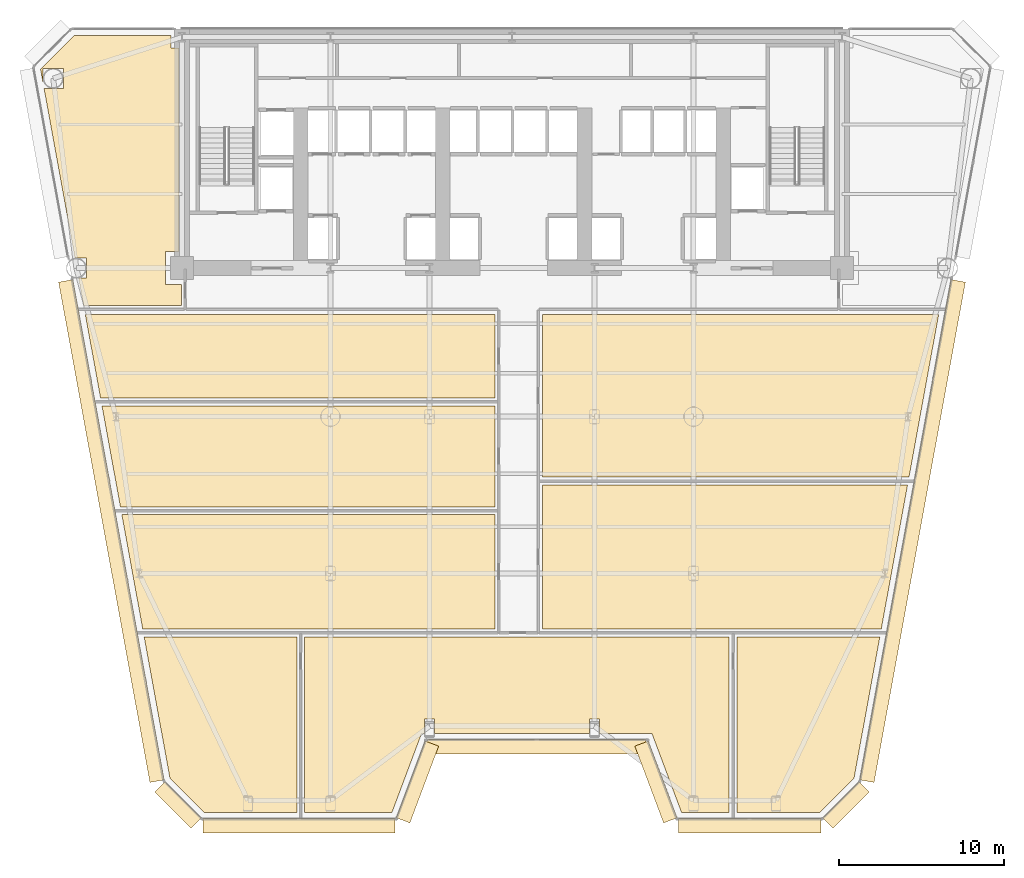
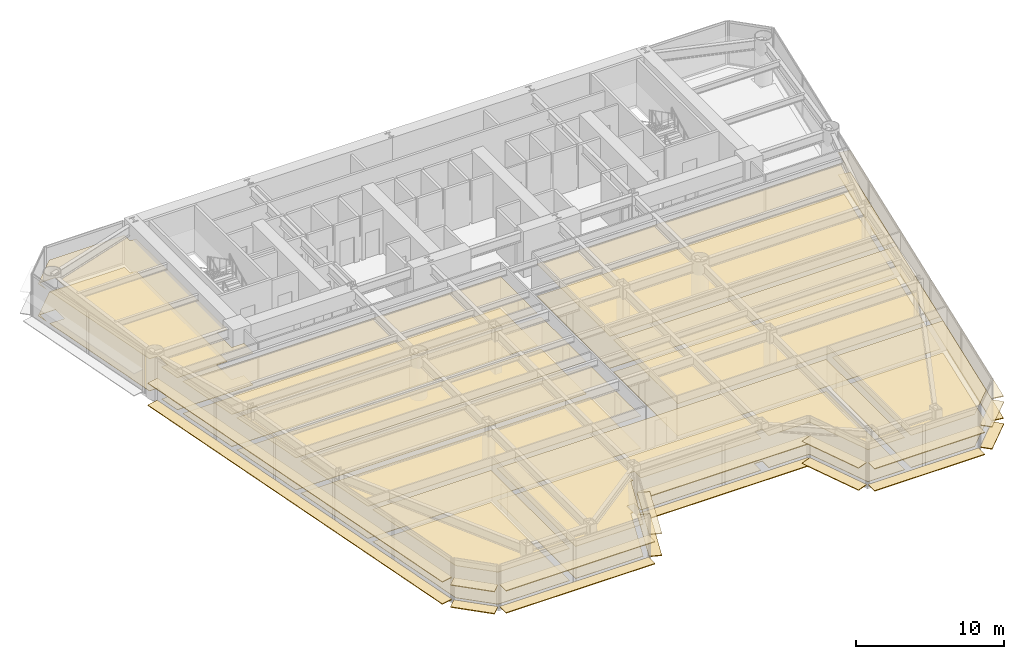
# One storey, part 11 of 14: 36 coverings.
"""IFC4 building model written with IfcOpenShell, lengths in metres."""

from ifc_helpers import new_model, si_unit, direction, frame, origin, origin_2d, place, context, subcontext, project, spatial, polyline, rectangle, outline, extrude, source, transform, mapped, material, layer, layer_set, type_object, element, save


model = new_model("IFC4")

# Units and contexts
model_context = context("Model", 3, precision=1e-05, world=origin(), true_north=direction((0.0, 1.0)))
body_context = subcontext(model_context, "Body", "Model", "MODEL_VIEW")
ifc_project = project(units=[si_unit("LENGTHUNIT", "METRE"), si_unit("AREAUNIT", "SQUARE_METRE"), si_unit("VOLUMEUNIT", "CUBIC_METRE"), si_unit("PLANEANGLEUNIT", "RADIAN"), si_unit("MASSUNIT", "GRAM", prefix="KILO")], contexts=[model_context])

# Site, building, storey
site_placement = place(None, origin())
site = spatial("IfcSite", under=ifc_project, at=site_placement, CompositionType="ELEMENT")
building_placement = place(site_placement, origin())
building = spatial("IfcBuilding", under=site, at=building_placement, Name="Vaeldorn Concourse Tower", CompositionType="ELEMENT")
storey_placement = place(building_placement, frame((0.0, 0.0, 68.199951171875)))
storey = spatial("IfcBuildingStorey", under=building, at=storey_placement, Name="L17", CompositionType="ELEMENT", Elevation=68.199951171875)

# Coverings
ifc_material_1 = material(Name="Acoustic Mineral Fibre Board", Category="gypsum")
ifc_layer_1 = layer(ifc_material_1, 0.0400390625)
ifc_layer_set_1 = layer_set([ifc_layer_1], Name="Acoustic Mineral Fibre Board")
covering_type_1 = type_object("IfcCoveringType", Name="COV-CEIL-ACOUSTIC", PredefinedType="CEILING", material=ifc_layer_set_1)
covering_1_placement = place(storey_placement, frame((0.0, 0.0, 2.650146484375)))
element("IfcCovering", 1, at=covering_1_placement, inside=storey, type_object=covering_type_1, Name="Suspended Acoustic Ceiling L17-3", PredefinedType="CEILING", context=body_context, shape_type="SweptSolid", body=[
    extrude(outline(polyline([(7.4658203125, 50.60009765625), (13.340087890625, 50.60009765625), (13.340087890625, 49.840087890625), (13.820068359375, 49.840087890625), (13.820068359375, 37.5), (13.0, 37.5), (13.0, 35.5), (13.9599609375, 35.5), (13.9599609375, 34.239990234375), (8.0458984375, 34.239990234375), (7.744873046875, 35.890380859375), (8.20947265625, 35.890380859375), (8.20947265625, 37.109619140625), (7.522216796875, 37.109619140625), (5.6455078125, 47.390380859375), (6.8095703125, 47.390380859375), (6.8095703125, 48.609619140625), (5.590576171875, 48.609619140625), (5.590576171875, 47.6923828125), (5.43115234375, 48.5654296875), (7.4658203125, 50.60009765625)])), origin(), (0.0, 0.0, 1.0), 0.039794921875),
])
covering_2_placement = place(storey_placement, frame((0.0, 0.0, 2.650146484375)))
element("IfcCovering", 2, at=covering_2_placement, inside=storey, type_object=covering_type_1, Name="Suspended Acoustic Ceiling L17-5", PredefinedType="CEILING", context=body_context, shape_type="SweptSolid", body=[
    extrude(outline(polyline([(32.9599609375, 21.56005859375), (32.9599609375, 14.639892578125), (11.623779296875, 14.639892578125), (10.360595703125, 21.56005859375), (32.9599609375, 21.56005859375)])), origin(), (0.0, 0.0, 1.0), 0.039794921875),
])
covering_3_placement = place(storey_placement, frame((0.0, 0.0, 2.650146484375)))
element("IfcCovering", 3, at=covering_3_placement, inside=storey, type_object=covering_type_1, Name="Suspended Acoustic Ceiling L17-6", PredefinedType="CEILING", context=body_context, shape_type="SweptSolid", body=[
    extrude(outline(polyline([(32.9599609375, 28.159912109375), (32.9599609375, 22.0400390625), (10.27294921875, 22.0400390625), (9.15576171875, 28.159912109375), (32.9599609375, 28.159912109375)])), origin(), (0.0, 0.0, 1.0), 0.039794921875),
])
covering_4_placement = place(storey_placement, frame((0.0, 0.0, 2.650146484375)))
element("IfcCovering", 4, at=covering_4_placement, inside=storey, type_object=covering_type_1, Name="Suspended Acoustic Ceiling L17-7", PredefinedType="CEILING", context=body_context, shape_type="SweptSolid", body=[
    extrude(outline(polyline([(32.9599609375, 33.699951171875), (32.9599609375, 28.639892578125), (9.068115234375, 28.639892578125), (8.14453125, 33.699951171875), (32.9599609375, 33.699951171875)])), origin(), (0.0, 0.0, 1.0), 0.039794921875),
])
covering_5_placement = place(storey_placement, frame((0.0, 0.0, 2.650146484375)))
element("IfcCovering", 5, at=covering_5_placement, inside=storey, type_object=covering_type_1, Name="Suspended Acoustic Ceiling L17-8", PredefinedType="CEILING", context=body_context, shape_type="SweptSolid", body=[
    extrude(outline(polyline([(35.840087890625, 14.639892578125), (35.840087890625, 23.360107421875), (57.968017578125, 23.360107421875), (56.376220703125, 14.639892578125), (35.840087890625, 14.639892578125)])), origin(), (0.0, 0.0, 1.0), 0.039794921875),
])
covering_6_placement = place(storey_placement, frame((0.0, 0.0, 2.650146484375)))
element("IfcCovering", 6, at=covering_6_placement, inside=storey, type_object=covering_type_1, Name="Suspended Acoustic Ceiling L17-9", PredefinedType="CEILING", context=body_context, shape_type="SweptSolid", body=[
    extrude(outline(polyline([(35.840087890625, 23.840087890625), (35.840087890625, 33.699951171875), (59.85546875, 33.699951171875), (58.0556640625, 23.840087890625), (35.840087890625, 23.840087890625)])), origin(), (0.0, 0.0, 1.0), 0.039794921875),
])
covering_7_placement = place(storey_placement, frame((0.0, 0.0, 2.650146484375)))
element("IfcCovering", 7, at=covering_7_placement, inside=storey, type_object=covering_type_1, Name="Suspended Acoustic Ceiling L17-10", PredefinedType="CEILING", context=body_context, shape_type="SweptSolid", body=[
    extrude(outline(polyline([(20.9599609375, 14.159912109375), (20.9599609375, 3.508056640625), (15.367919921875, 3.508056640625), (13.273193359375, 5.6025390625), (11.711181640625, 14.159912109375), (20.9599609375, 14.159912109375)])), origin(), (0.0, 0.0, 1.0), 0.039794921875),
])
covering_8_placement = place(storey_placement, frame((0.0, 0.0, 2.650146484375)))
element("IfcCovering", 8, at=covering_8_placement, inside=storey, type_object=covering_type_1, Name="Suspended Acoustic Ceiling L17-11", PredefinedType="CEILING", context=body_context, shape_type="SweptSolid", body=[
    extrude(outline(polyline([(26.722900390625, 3.508056640625), (21.43994140625, 3.508056640625), (21.43994140625, 14.159912109375), (47.159912109375, 14.159912109375), (47.159912109375, 3.508056640625), (44.277099609375, 3.508056640625), (42.477294921875, 8.30810546875), (39.300048828125, 8.30810546875), (39.300048828125, 9.197021484375), (38.699951171875, 9.197021484375), (38.699951171875, 8.30810546875), (29.300048828125, 8.30810546875), (29.300048828125, 9.197021484375), (28.699951171875, 9.197021484375), (28.699951171875, 8.30810546875), (28.522705078125, 8.30810546875), (26.722900390625, 3.508056640625)])), origin(), (0.0, 0.0, 1.0), 0.039794921875),
])
covering_9_placement = place(storey_placement, frame((0.0, 0.0, 2.650146484375)))
element("IfcCovering", 9, at=covering_9_placement, inside=storey, type_object=covering_type_1, Name="Suspended Acoustic Ceiling L17-12", PredefinedType="CEILING", context=body_context, shape_type="SweptSolid", body=[
    extrude(outline(polyline([(52.632080078125, 3.508056640625), (47.639892578125, 3.508056640625), (47.639892578125, 14.159912109375), (56.288818359375, 14.159912109375), (54.726806640625, 5.6025390625), (52.632080078125, 3.508056640625)])), origin(), (0.0, 0.0, 1.0), 0.039794921875),
])
ifc_material_2 = material(Name="Honed Limestone Terrazzo Flooring", Category="masonry")
ifc_layer_2 = layer(ifc_material_2, 0.0400390625)
ifc_layer_set_2 = layer_set([ifc_layer_2], Name="Honed Limestone Terrazzo Flooring")
covering_type_2 = type_object("IfcCoveringType", Name="COV-FLOOR-STONE", PredefinedType="FLOORING", material=ifc_layer_set_2)
covering_10_placement = place(storey_placement, origin())
element("IfcCovering", 10, at=covering_10_placement, inside=storey, type_object=covering_type_2, Name="Floor Finish Covering L17-3", PredefinedType="FLOORING", context=body_context, shape_type="SweptSolid", body=[
    extrude(outline(polyline([(7.4658203125, 50.60009765625), (13.340087890625, 50.60009765625), (13.340087890625, 49.840087890625), (13.820068359375, 49.840087890625), (13.820068359375, 37.5), (13.0, 37.5), (13.0, 35.5), (13.9599609375, 35.5), (13.9599609375, 34.239990234375), (8.0458984375, 34.239990234375), (7.744873046875, 35.890380859375), (8.20947265625, 35.890380859375), (8.20947265625, 37.109619140625), (7.522216796875, 37.109619140625), (5.6455078125, 47.390380859375), (6.8095703125, 47.390380859375), (6.8095703125, 48.609619140625), (5.590576171875, 48.609619140625), (5.590576171875, 47.6923828125), (5.43115234375, 48.5654296875), (7.4658203125, 50.60009765625)])), origin(), (0.0, 0.0, 1.0), 0.030029296875),
])
covering_11_placement = place(storey_placement, origin())
element("IfcCovering", 11, at=covering_11_placement, inside=storey, type_object=covering_type_2, Name="Floor Finish Covering L17-5", PredefinedType="FLOORING", context=body_context, shape_type="SweptSolid", body=[
    extrude(outline(polyline([(32.9599609375, 21.56005859375), (32.9599609375, 14.639892578125), (11.623779296875, 14.639892578125), (10.360595703125, 21.56005859375), (32.9599609375, 21.56005859375)])), origin(), (0.0, 0.0, 1.0), 0.030029296875),
])
covering_12_placement = place(storey_placement, origin())
element("IfcCovering", 12, at=covering_12_placement, inside=storey, type_object=covering_type_2, Name="Floor Finish Covering L17-6", PredefinedType="FLOORING", context=body_context, shape_type="SweptSolid", body=[
    extrude(outline(polyline([(32.9599609375, 28.159912109375), (32.9599609375, 22.0400390625), (10.27294921875, 22.0400390625), (9.15576171875, 28.159912109375), (32.9599609375, 28.159912109375)])), origin(), (0.0, 0.0, 1.0), 0.030029296875),
])
covering_13_placement = place(storey_placement, origin())
element("IfcCovering", 13, at=covering_13_placement, inside=storey, type_object=covering_type_2, Name="Floor Finish Covering L17-7", PredefinedType="FLOORING", context=body_context, shape_type="SweptSolid", body=[
    extrude(outline(polyline([(32.9599609375, 33.699951171875), (32.9599609375, 28.639892578125), (9.068115234375, 28.639892578125), (8.14453125, 33.699951171875), (32.9599609375, 33.699951171875)])), origin(), (0.0, 0.0, 1.0), 0.030029296875),
])
covering_14_placement = place(storey_placement, origin())
element("IfcCovering", 14, at=covering_14_placement, inside=storey, type_object=covering_type_2, Name="Floor Finish Covering L17-8", PredefinedType="FLOORING", context=body_context, shape_type="SweptSolid", body=[
    extrude(outline(polyline([(35.840087890625, 14.639892578125), (35.840087890625, 23.360107421875), (57.968017578125, 23.360107421875), (56.376220703125, 14.639892578125), (35.840087890625, 14.639892578125)])), origin(), (0.0, 0.0, 1.0), 0.030029296875),
])
covering_15_placement = place(storey_placement, origin())
element("IfcCovering", 15, at=covering_15_placement, inside=storey, type_object=covering_type_2, Name="Floor Finish Covering L17-9", PredefinedType="FLOORING", context=body_context, shape_type="SweptSolid", body=[
    extrude(outline(polyline([(35.840087890625, 23.840087890625), (35.840087890625, 33.699951171875), (59.85546875, 33.699951171875), (58.0556640625, 23.840087890625), (35.840087890625, 23.840087890625)])), origin(), (0.0, 0.0, 1.0), 0.030029296875),
])
covering_16_placement = place(storey_placement, origin())
element("IfcCovering", 16, at=covering_16_placement, inside=storey, type_object=covering_type_2, Name="Floor Finish Covering L17-10", PredefinedType="FLOORING", context=body_context, shape_type="SweptSolid", body=[
    extrude(outline(polyline([(20.9599609375, 14.159912109375), (20.9599609375, 3.508056640625), (15.367919921875, 3.508056640625), (13.273193359375, 5.6025390625), (11.711181640625, 14.159912109375), (20.9599609375, 14.159912109375)])), origin(), (0.0, 0.0, 1.0), 0.030029296875),
])
covering_17_placement = place(storey_placement, origin())
element("IfcCovering", 17, at=covering_17_placement, inside=storey, type_object=covering_type_2, Name="Floor Finish Covering L17-11", PredefinedType="FLOORING", context=body_context, shape_type="SweptSolid", body=[
    extrude(outline(polyline([(26.722900390625, 3.508056640625), (21.43994140625, 3.508056640625), (21.43994140625, 14.159912109375), (47.159912109375, 14.159912109375), (47.159912109375, 3.508056640625), (44.277099609375, 3.508056640625), (42.477294921875, 8.30810546875), (39.300048828125, 8.30810546875), (39.300048828125, 9.197021484375), (38.699951171875, 9.197021484375), (38.699951171875, 8.30810546875), (29.300048828125, 8.30810546875), (29.300048828125, 9.197021484375), (28.699951171875, 9.197021484375), (28.699951171875, 8.30810546875), (28.522705078125, 8.30810546875), (26.722900390625, 3.508056640625)])), origin(), (0.0, 0.0, 1.0), 0.030029296875),
])
covering_18_placement = place(storey_placement, origin())
element("IfcCovering", 18, at=covering_18_placement, inside=storey, type_object=covering_type_2, Name="Floor Finish Covering L17-12", PredefinedType="FLOORING", context=body_context, shape_type="SweptSolid", body=[
    extrude(outline(polyline([(52.632080078125, 3.508056640625), (47.639892578125, 3.508056640625), (47.639892578125, 14.159912109375), (56.288818359375, 14.159912109375), (54.726806640625, 5.6025390625), (52.632080078125, 3.508056640625)])), origin(), (0.0, 0.0, 1.0), 0.030029296875),
])
ifc_material_3 = material(Name="Anodised Bronze Aluminium", Category="aluminium")
ifc_layer_3 = layer(ifc_material_3, 0.06494140625)
ifc_layer_set_3 = layer_set([ifc_layer_3], Name="Anodised Bronze Aluminium")
covering_type_3 = type_object("IfcCoveringType", Name="SD-BRONZE-SUNSHADE", PredefinedType="USERDEFINED", material=ifc_layer_set_3)
shared_shape_1 = source(origin(), body_context, "Body", "SweptSolid", [
    extrude(rectangle(XDim=4.96630859375, YDim=0.8798828125, at=origin_2d()), origin(), (0.0, 0.0, 1.0), 0.06494140625),
])
for number, where, z_axis, x_axis, name in (
    (19, (28.2744140625, 5.36767578125, 0.047607421875), (0.0, 0.0, 1.0), (0.351122702609, 0.936329454686, 0.0), "Horizontal Bronze Sunshade L17-E02.1.1"),
    (20, (28.2744140625, 5.36767578125, 1.86767578125), (0.0, 0.0, 1.0), (0.351122702609, 0.936329454686, 0.0), "Horizontal Bronze Sunshade L17-E02.1.2"),
    (21, (42.7255859375, 5.36767578125, 0.047607421875), (0.0, 0.0, 1.0), (0.351122702609, -0.936329454686, 0.0), "Horizontal Bronze Sunshade L17-E04.1.1"),
    (22, (42.7255859375, 5.36767578125, 1.86767578125), (0.0, 0.0, 1.0), (0.351122702609, -0.936329454686, 0.0), "Horizontal Bronze Sunshade L17-E04.1.2"),
):
    element("IfcCovering", number, at=place(storey_placement, frame(where, z_axis=z_axis, x_axis=x_axis)), inside=storey, type_object=covering_type_3, Name=name, ObjectType="SUNSHADE", PredefinedType="USERDEFINED", context=body_context, shape_type="MappedRepresentation", body=[
        mapped(shared_shape_1, transform((0.0, 0.0, 0.0), scale=1.0)),
    ])
shared_shape_2 = source(origin(), body_context, "Body", "SweptSolid", [
    extrude(rectangle(XDim=13.239990234375, YDim=0.8798828125, at=origin_2d()), origin(), (0.0, 0.0, 1.0), 0.06494140625),
])
for number, where, z_axis, x_axis, name in (
    (23, (35.5, 7.508056640625, 0.047607421875), (0.0, 0.0, 1.0), (1.0, 0.0, 0.0), "Horizontal Bronze Sunshade L17-E03.1.1"),
    (24, (35.5, 7.508056640625, 1.86767578125), (0.0, 0.0, 1.0), (1.0, 0.0, 0.0), "Horizontal Bronze Sunshade L17-E03.1.2"),
):
    element("IfcCovering", number, at=place(storey_placement, frame(where, z_axis=z_axis, x_axis=x_axis)), inside=storey, type_object=covering_type_3, Name=name, ObjectType="SUNSHADE", PredefinedType="USERDEFINED", context=body_context, shape_type="MappedRepresentation", body=[
        mapped(shared_shape_2, transform((0.0, 0.0, 0.0), scale=1.0)),
    ])
shared_shape_3 = source(origin(), body_context, "Body", "SweptSolid", [
    extrude(rectangle(XDim=3.0927734375, YDim=0.8798828125, at=origin_2d()), origin(), (0.0, 0.0, 1.0), 0.06494140625),
])
for number, where, z_axis, x_axis, name in (
    (25, (54.230712890625, 3.97509765625, 0.047607421875), (0.0, 0.0, 1.0), (0.707106781187, 0.707106781187, 0.0), "Horizontal Bronze Sunshade L17-E06.1.1"),
    (26, (54.230712890625, 3.97509765625, 1.86767578125), (0.0, 0.0, 1.0), (0.707106781187, 0.707106781187, 0.0), "Horizontal Bronze Sunshade L17-E06.1.2"),
    (27, (13.769287109375, 3.97509765625, 0.047607421875), (0.0, 0.0, 1.0), (0.707106781187, -0.707106781187, 0.0), "Horizontal Bronze Sunshade L17-E12.1.1"),
    (28, (13.769287109375, 3.97509765625, 1.86767578125), (0.0, 0.0, 1.0), (0.707106781187, -0.707106781187, 0.0), "Horizontal Bronze Sunshade L17-E12.1.2"),
):
    element("IfcCovering", number, at=place(storey_placement, frame(where, z_axis=z_axis, x_axis=x_axis)), inside=storey, type_object=covering_type_3, Name=name, ObjectType="SUNSHADE", PredefinedType="USERDEFINED", context=body_context, shape_type="MappedRepresentation", body=[
        mapped(shared_shape_3, transform((0.0, 0.0, 0.0), scale=1.0)),
    ])
shared_shape_4 = source(origin(), body_context, "Body", "SweptSolid", [
    extrude(rectangle(XDim=11.6376953125, YDim=0.8798828125, at=origin_2d()), origin(), (0.0, 0.0, 1.0), 0.06494140625),
])
for number, where, z_axis, x_axis, name in (
    (29, (21.10107421875, 2.7080078125, 0.047607421875), (0.0, 0.0, 1.0), (1.0, 0.0, 0.0), "Horizontal Bronze Sunshade L17-E01.1.1"),
    (30, (21.10107421875, 2.7080078125, 1.86767578125), (0.0, 0.0, 1.0), (1.0, 0.0, 0.0), "Horizontal Bronze Sunshade L17-E01.1.2"),
):
    element("IfcCovering", number, at=place(storey_placement, frame(where, z_axis=z_axis, x_axis=x_axis)), inside=storey, type_object=covering_type_3, Name=name, ObjectType="SUNSHADE", PredefinedType="USERDEFINED", context=body_context, shape_type="MappedRepresentation", body=[
        mapped(shared_shape_4, transform((0.0, 0.0, 0.0), scale=1.0)),
    ])
shared_shape_5 = source(origin(), body_context, "Body", "SweptSolid", [
    extrude(rectangle(XDim=8.6376953125, YDim=0.8798828125, at=origin_2d()), origin(), (0.0, 0.0, 1.0), 0.06494140625),
])
for number, where, z_axis, x_axis, name in (
    (31, (48.39892578125, 2.7080078125, 0.047607421875), (0.0, 0.0, 1.0), (1.0, 0.0, 0.0), "Horizontal Bronze Sunshade L17-E05.1.1"),
    (32, (48.39892578125, 2.7080078125, 1.86767578125), (0.0, 0.0, 1.0), (1.0, 0.0, 0.0), "Horizontal Bronze Sunshade L17-E05.1.2"),
):
    element("IfcCovering", number, at=place(storey_placement, frame(where, z_axis=z_axis, x_axis=x_axis)), inside=storey, type_object=covering_type_3, Name=name, ObjectType="SUNSHADE", PredefinedType="USERDEFINED", context=body_context, shape_type="MappedRepresentation", body=[
        mapped(shared_shape_5, transform((0.0, 0.0, 0.0), scale=1.0)),
    ])
shared_shape_6 = source(origin(), body_context, "Body", "SweptSolid", [
    extrude(rectangle(XDim=30.81591796875, YDim=0.8798828125, at=origin_2d()), origin(), (0.0, 0.0, 1.0), 0.06494140625),
])
for number, where, z_axis, x_axis, name in (
    (33, (58.2724609375, 20.572509765625, 0.047607421875), (0.0, 0.0, 1.0), (0.179557731787, 0.983747437585, 0.0), "Horizontal Bronze Sunshade L17-E07.1.1"),
    (34, (58.2724609375, 20.572509765625, 1.86767578125), (0.0, 0.0, 1.0), (0.179557731787, 0.983747437585, 0.0), "Horizontal Bronze Sunshade L17-E07.1.2"),
    (35, (9.7275390625, 20.572509765625, 0.047607421875), (0.0, 0.0, 1.0), (0.179557731787, -0.983747437585, 0.0), "Horizontal Bronze Sunshade L17-E11.2.1"),
    (36, (9.7275390625, 20.572509765625, 1.86767578125), (0.0, 0.0, 1.0), (0.179557731787, -0.983747437585, 0.0), "Horizontal Bronze Sunshade L17-E11.2.2"),
):
    element("IfcCovering", number, at=place(storey_placement, frame(where, z_axis=z_axis, x_axis=x_axis)), inside=storey, type_object=covering_type_3, Name=name, ObjectType="SUNSHADE", PredefinedType="USERDEFINED", context=body_context, shape_type="MappedRepresentation", body=[
        mapped(shared_shape_6, transform((0.0, 0.0, 0.0), scale=1.0)),
    ])

save(model, "model.ifc")
